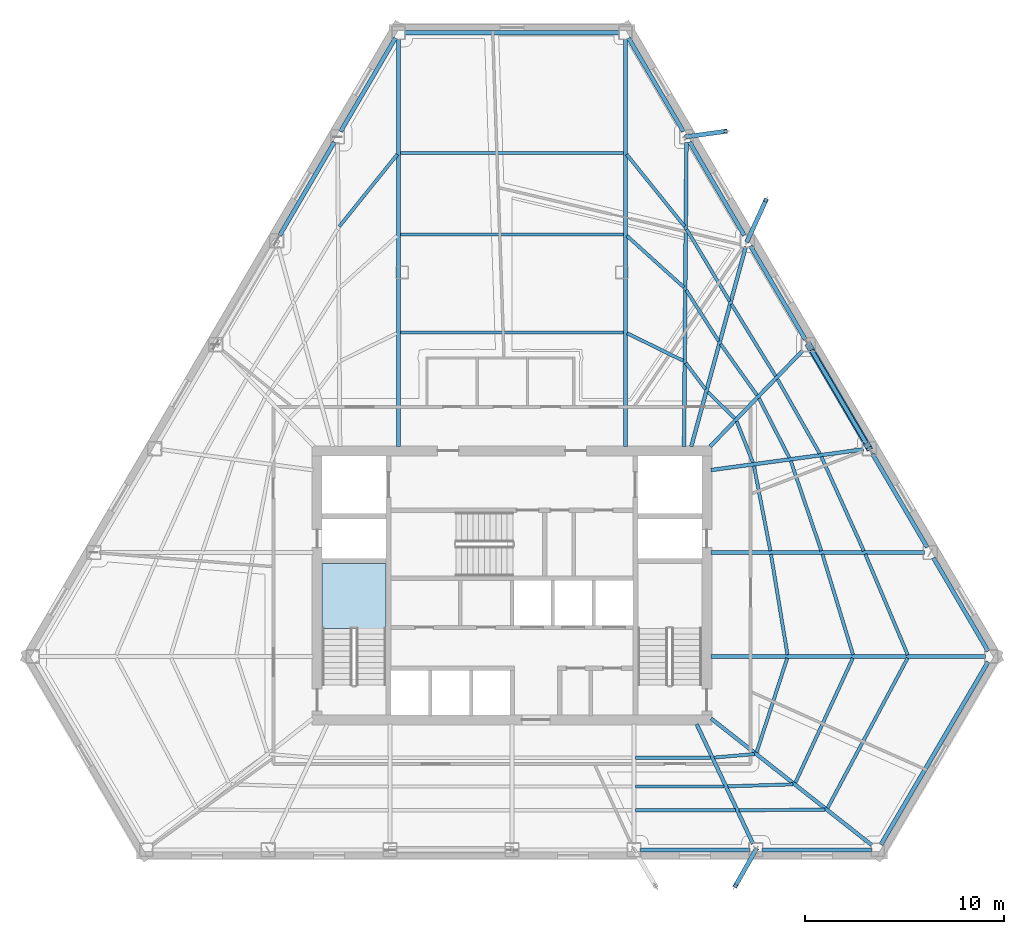
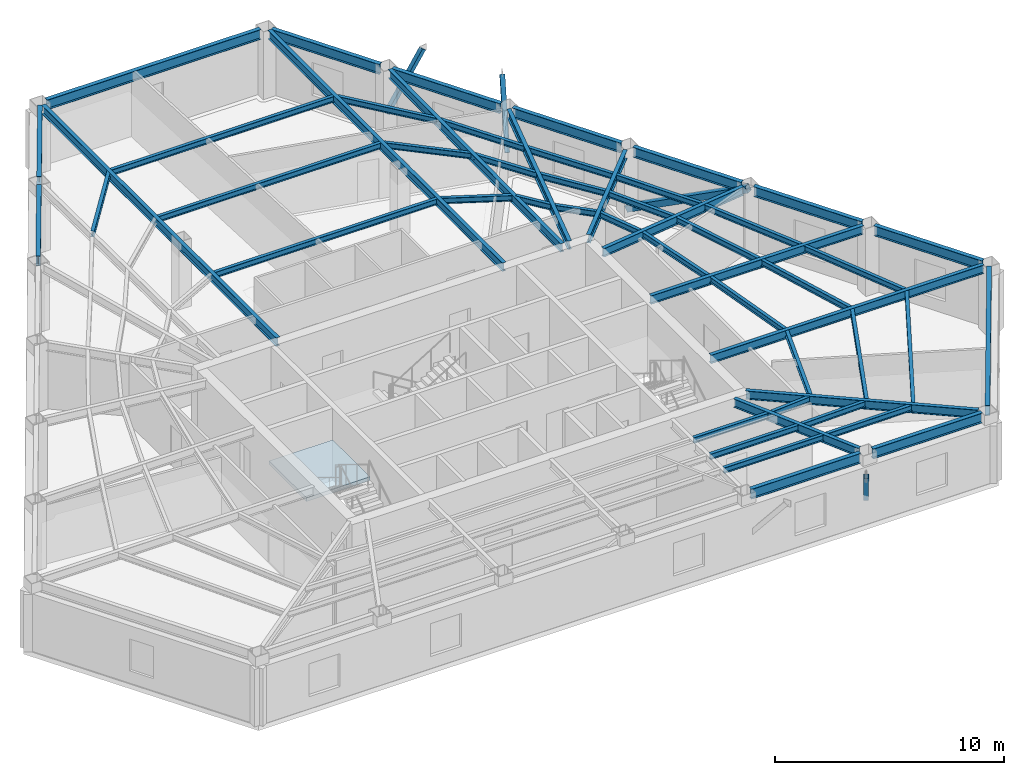
# One storey, part 2 of 13: 53 beams, 4 members, 1 slab, 1 element without a shape of its own.
"""IFC4 building model written with IfcOpenShell, lengths in metres."""

import ifcopenshell
import ifcopenshell.guid

model = None  # the IFC model being written
_history = None  # IfcOwnerHistory: only IFC2X3 demands one
_inside = {}  # id of a spatial element -> (the spatial element, [elements in it])
_under = {}  # id of a project, library or spatial element -> (it, [spatial elements below it])
_declared = {}  # id of a project -> (the project, [libraries it declares])
_typed = {}  # id of a type object -> (the type object, [elements of that type])
_made_of = {}  # id of a material, layer set ... -> (it, [elements and type objects made of it])


def new_model(schema):
    """Start an empty IFC model of exactly this schema.

    Asked for "IFC4X3", IfcOpenShell would pick the latest addendum, in which some entities
    have other attributes; the version numbers below select the first issue.
    IFC2X3 requires an IfcOwnerHistory on every rooted entity: one is made here for all.
    """
    global model, _history
    if schema == "IFC4X3":
        model = ifcopenshell.file(schema_version=(4, 3, 0, 0))
    else:
        model = ifcopenshell.file(schema=schema)
    _inside.clear()
    _under.clear()
    _declared.clear()
    _typed.clear()
    _made_of.clear()
    _history = None
    if model.schema == "IFC2X3":
        org = make("IfcOrganization", Name="unknown")
        user = make(
            "IfcPersonAndOrganization",
            ThePerson=make("IfcPerson", FamilyName="unknown"),
            TheOrganization=org,
        )
        app = make(
            "IfcApplication",
            ApplicationDeveloper=org,
            Version="unknown",
            ApplicationFullName="unknown",
            ApplicationIdentifier="unknown",
        )
        _history = make(
            "IfcOwnerHistory",
            OwningUser=user,
            OwningApplication=app,
            ChangeAction="ADDED",
            CreationDate=0,
        )
    return model


def make(cls, **values):
    """One entity of the class cls with the attributes given. An attribute that is None is left unset."""
    return model.create_entity(
        cls, **{name: value for name, value in values.items() if value is not None}
    )


def rooted(cls, **values):
    """An entity with a GlobalId (a new one), such as an element, a storey or a relation."""
    return make(cls, GlobalId=ifcopenshell.guid.new(), OwnerHistory=_history, **values)


def si_unit(unit_type, name, prefix=None):
    """IfcSIUnit, for example si_unit("LENGTHUNIT", "METRE", prefix="MILLI")."""
    return make("IfcSIUnit", UnitType=unit_type, Prefix=prefix, Name=name)


def assignment(units):
    """IfcUnitAssignment: the units of a project."""
    return None if units is None else make("IfcUnitAssignment", Units=units)


def point(xyz):
    """IfcCartesianPoint."""
    return None if xyz is None else make("IfcCartesianPoint", Coordinates=xyz)


def direction(xyz):
    """IfcDirection."""
    return None if xyz is None else make("IfcDirection", DirectionRatios=xyz)


def frame(location, z_axis=None, x_axis=None):
    """IfcAxis2Placement3D, a coordinate frame: its origin and axes. An axis left out is left unset."""
    return make(
        "IfcAxis2Placement3D",
        Location=point(location),
        Axis=direction(z_axis),
        RefDirection=direction(x_axis),
    )


def frame_2d(location, x_axis=None):
    """IfcAxis2Placement2D, a coordinate frame in the plane: its origin and x axis."""
    return make(
        "IfcAxis2Placement2D", Location=point(location), RefDirection=direction(x_axis)
    )


def origin():
    """The frame at (0, 0, 0) with its axes left unset."""
    return frame((0.0, 0.0, 0.0))


def origin_2d():
    """The frame at (0, 0) in the plane with its x axis left unset."""
    return frame_2d((0.0, 0.0))


def place(relative_to, where):
    """IfcLocalPlacement: puts the frame where relative to a parent placement (None: the world)."""
    return make(
        "IfcLocalPlacement", PlacementRelTo=relative_to, RelativePlacement=where
    )


def context(
    kind, dimensions, precision=None, world=None, true_north=None, identifier=None
):
    """IfcGeometricRepresentationContext, for example the 3D "Model" context."""
    return make(
        "IfcGeometricRepresentationContext",
        ContextIdentifier=identifier,
        ContextType=kind,
        CoordinateSpaceDimension=dimensions,
        Precision=precision,
        WorldCoordinateSystem=world,
        TrueNorth=true_north,
    )


def subcontext(parent, identifier, kind, view, scale=None):
    """IfcGeometricRepresentationSubContext, for example "Body" below "Model"."""
    return make(
        "IfcGeometricRepresentationSubContext",
        ContextIdentifier=identifier,
        ContextType=kind,
        ParentContext=parent,
        TargetScale=scale,
        TargetView=view,
    )


def project(units=None, contexts=None):
    """IfcProject with its units and contexts."""
    return rooted(
        "IfcProject",
        Name="project",
        RepresentationContexts=contexts,
        UnitsInContext=assignment(units),
    )


def spatial(cls, under=None, at=None, **own):
    """A site, building, storey or space (cls), placed at a placement, below another one or the project."""
    s = rooted(cls, ObjectPlacement=at, **own)
    if under is not None:
        _under.setdefault(under.id(), (under, []))[1].append(s)
    return s


def polyline(points):
    """IfcPolyline through the points."""
    return make("IfcPolyline", Points=[point(p) for p in points])


def profile(cls, at=None, kind="AREA", **sizes):
    """A parametric profile (cls). Its sizes go by their IFC names, for example OverallWidth=200.0."""
    return make(cls, ProfileType=kind, Position=at, **sizes)


def hollow_rectangle(**sizes):
    """IfcRectangleHollowProfileDef."""
    return profile("IfcRectangleHollowProfileDef", **sizes)


def i_section(**sizes):
    """IfcIShapeProfileDef."""
    return profile("IfcIShapeProfileDef", **sizes)


def outline(outer, holes=None, kind="AREA"):
    """IfcArbitraryClosedProfileDef: a profile drawn as a closed curve; with holes, ...WithVoids."""
    if holes is None:
        return make("IfcArbitraryClosedProfileDef", ProfileType=kind, OuterCurve=outer)
    return make(
        "IfcArbitraryProfileDefWithVoids",
        ProfileType=kind,
        OuterCurve=outer,
        InnerCurves=holes,
    )


def extrude(swept, where, along, depth):
    """IfcExtrudedAreaSolid: the profile swept, set in the frame where, extruded along a direction by depth."""
    return make(
        "IfcExtrudedAreaSolid",
        SweptArea=swept,
        Position=where,
        ExtrudedDirection=direction(along),
        Depth=depth,
    )


def shape(context_of_items, identifier, shape_type, items):
    """IfcShapeRepresentation: the items that make up one representation, for example the "Body"."""
    return make(
        "IfcShapeRepresentation",
        ContextOfItems=context_of_items,
        RepresentationIdentifier=identifier,
        RepresentationType=shape_type,
        Items=items,
    )


def material(Name=None, Category=None):
    """IfcMaterial."""
    return make("IfcMaterial", Name=Name, Category=Category)


def layer(
    of_material, thickness, ventilated=None, Name=None, Category=None, Priority=None
):
    """IfcMaterialLayer: one layer of a wall or slab, of a material (None: an air gap)."""
    return make(
        "IfcMaterialLayer",
        Material=of_material,
        LayerThickness=thickness,
        IsVentilated=ventilated,
        Name=Name,
        Category=Category,
        Priority=Priority,
    )


def layer_set(layers, Name=None):
    """IfcMaterialLayerSet."""
    return make("IfcMaterialLayerSet", MaterialLayers=layers, LayerSetName=Name)


def material_profile(
    of_material, cross_section, Name=None, Category=None, Priority=None
):
    """IfcMaterialProfile: a cross section and its material."""
    return make(
        "IfcMaterialProfile",
        Name=Name,
        Material=of_material,
        Profile=cross_section,
        Priority=Priority,
        Category=Category,
    )


def profile_set(profiles, Name=None, composite=None):
    """IfcMaterialProfileSet."""
    return make(
        "IfcMaterialProfileSet",
        Name=Name,
        MaterialProfiles=profiles,
        CompositeProfile=composite,
    )


def made_of(thing, what):
    """Note that an element or type object is made of a material, layer set ...; save() writes the relation."""
    if what is not None:
        _made_of.setdefault(what.id(), (what, []))[1].append(thing)
    return thing


def type_object(cls, material=None, **own):
    """A type object (cls), such as IfcWallType, which elements share."""
    return made_of(rooted(cls, **own), material)


def element(
    cls,
    number,
    at=None,
    inside=None,
    cuts=None,
    type_object=None,
    material=None,
    context=None,
    identifier="Body",
    shape_type=None,
    held_by="IfcProductDefinitionShape",
    body=None,
    shapes=None,
    **own,
):
    """One element of the class cls, such as IfcWall. Its Tag is "e" and its number.

    at: its placement. inside: the storey or other place that contains it. cuts: it is an
    opening in that element (IfcRelVoidsElement). A single representation is given by context,
    identifier, shape_type and body (its items); several are given by shapes. held_by: the class
    of the entity that holds the representations. save() writes the other relations.
    """
    e = rooted(cls, Tag="e%d" % number, ObjectPlacement=at, **own)
    if body is not None:
        shapes = [shape(context, identifier, shape_type, body)]
    if shapes is not None:
        e.Representation = make(held_by, Representations=shapes)
    if inside is not None:
        _inside.setdefault(inside.id(), (inside, []))[1].append(e)
    if cuts is not None:
        rooted(
            "IfcRelVoidsElement", RelatingBuildingElement=cuts, RelatedOpeningElement=e
        )
    if type_object is not None:
        _typed.setdefault(type_object.id(), (type_object, []))[1].append(e)
    return made_of(e, material)


def aggregate(whole, parts):
    """IfcRelAggregates: a whole, such as a stair, and the parts it consists of."""
    return rooted("IfcRelAggregates", RelatingObject=whole, RelatedObjects=parts)


def save(model, path):
    """Write the relations noted so far, then the file.

    IfcRelAggregates (storeys below a building ...), IfcRelContainedInSpatialStructure (elements
    in a storey), IfcRelDefinesByType, IfcRelAssociatesMaterial and IfcRelDeclares: one each for
    every whole, place, type object, material and project.
    """
    for whole, parts in _under.values():
        aggregate(whole, parts)
    for where, things in _inside.values():
        rooted(
            "IfcRelContainedInSpatialStructure",
            RelatedElements=things,
            RelatingStructure=where,
        )
    for kind, things in _typed.values():
        rooted("IfcRelDefinesByType", RelatedObjects=things, RelatingType=kind)
    for what, things in _made_of.values():
        rooted("IfcRelAssociatesMaterial", RelatedObjects=things, RelatingMaterial=what)
    for by, libraries in _declared.values():
        rooted("IfcRelDeclares", RelatingContext=by, RelatedDefinitions=libraries)
    model.write(path)


model = new_model("IFC4")

# Units and contexts
model_context = context("Model", 3, precision=1e-05, world=origin(), true_north=direction((0.0, 1.0)))
body_context = subcontext(model_context, "Body", "Model", "MODEL_VIEW")
ifc_project = project(units=[si_unit("LENGTHUNIT", "METRE"), si_unit("AREAUNIT", "SQUARE_METRE"), si_unit("VOLUMEUNIT", "CUBIC_METRE"), si_unit("PLANEANGLEUNIT", "RADIAN"), si_unit("MASSUNIT", "GRAM", prefix="KILO")], contexts=[model_context])

# Site, building, storey
site_placement = place(None, origin())
site = spatial("IfcSite", under=ifc_project, at=site_placement, CompositionType="ELEMENT")
building_placement = place(site_placement, origin())
building = spatial("IfcBuilding", under=site, at=building_placement, Name="Kavelnor Concourse Tower", CompositionType="ELEMENT")
storey_placement = place(building_placement, frame((0.0, 0.0, 131.699951171875)))
storey = spatial("IfcBuildingStorey", under=building, at=storey_placement, Name="L33", CompositionType="ELEMENT", Elevation=131.699951171875)

# Beams
ifc_material_1 = material(Name="Steel Grade 350", Category="steel")
ifc_material_profile_1 = material_profile(ifc_material_1, i_section(OverallWidth=0.166015625, OverallDepth=0.306884765625, WebThickness=0.006591796875, FlangeThickness=0.01171875, at=origin_2d()), Name="310UB46")
ifc_profile_set_1 = profile_set([ifc_material_profile_1], Name="Steel Grade 350")
beam_type_1 = type_object("IfcBeamType", Name="BM-JOIST-310", PredefinedType="JOIST", material=ifc_profile_set_1)
beam_1_placement = place(storey_placement, frame((44.2060546875, 7.458251953125, 3.446533203125), z_axis=(0.999999896694, -0.000454545408, 0.0), x_axis=(0.000454545408, 0.999999896694, 0.0)))
element("IfcBeam", 1, at=beam_1_placement, inside=storey, type_object=beam_type_1, Name="L33 Secondary Composite Joist 06-1", PredefinedType="JOIST", context=body_context, shape_type="SweptSolid", body=[
    extrude(i_section(OverallWidth=0.166015625, OverallDepth=0.306884765625, WebThickness=0.006591796875, FlangeThickness=0.01171875, at=origin_2d()), origin(), (0.0, 0.0, 1.0), 3.759765625),
])
beam_2_placement = place(storey_placement, frame((44.2060546875, 6.016845703125, 3.446533203125), z_axis=(1.0, 0.0, 0.0), x_axis=(0.0, 1.0, 0.0)))
element("IfcBeam", 2, at=beam_2_placement, inside=storey, type_object=beam_type_1, Name="L33 Secondary Composite Joist 06-2", PredefinedType="JOIST", context=body_context, shape_type="SweptSolid", body=[
    extrude(i_section(OverallWidth=0.166015625, OverallDepth=0.306884765625, WebThickness=0.006591796875, FlangeThickness=0.01171875, at=origin_2d()), origin(), (0.0, 0.0, 1.0), 4.4384765625),
])
beam_3_placement = place(storey_placement, frame((44.2060546875, 4.815673828125, 3.446533203125), z_axis=(0.999999957156, 0.000292725752, 0.0), x_axis=(-0.000292725752, 0.999999957156, 0.0)))
element("IfcBeam", 3, at=beam_3_placement, inside=storey, type_object=beam_type_1, Name="L33 Secondary Composite Joist 06-3", PredefinedType="JOIST", context=body_context, shape_type="SweptSolid", body=[
    extrude(i_section(OverallWidth=0.166015625, OverallDepth=0.306884765625, WebThickness=0.006591796875, FlangeThickness=0.01171875, at=origin_2d()), origin(), (0.0, 0.0, 1.0), 5.004150390625),
])
beam_4_placement = place(storey_placement, frame((48.143310546875, 7.464111328125, 3.446533203125), z_axis=(0.996297987208, 0.085966974382, 0.0), x_axis=(-0.085966974382, 0.996297987208, 0.0)))
element("IfcBeam", 4, at=beam_4_placement, inside=storey, type_object=beam_type_1, Name="L33 Secondary Composite Joist 07-1", PredefinedType="JOIST", context=body_context, shape_type="SweptSolid", body=[
    extrude(i_section(OverallWidth=0.166015625, OverallDepth=0.306884765625, WebThickness=0.006591796875, FlangeThickness=0.01171875, at=origin_2d()), origin(), (0.0, 0.0, 1.0), 2.019287109375),
])
beam_5_placement = place(storey_placement, frame((48.822509765625, 6.019775390625, 3.446533203125), z_axis=(0.999532706774, 0.030567435103, 0.0), x_axis=(-0.030567435103, 0.999532706774, 0.0)))
element("IfcBeam", 5, at=beam_5_placement, inside=storey, type_object=beam_type_1, Name="L33 Secondary Composite Joist 07-2", PredefinedType="JOIST", context=body_context, shape_type="SweptSolid", body=[
    extrude(i_section(OverallWidth=0.166015625, OverallDepth=0.306884765625, WebThickness=0.006591796875, FlangeThickness=0.01171875, at=origin_2d()), origin(), (0.0, 0.0, 1.0), 3.2666015625),
])
beam_6_placement = place(storey_placement, frame((49.38818359375, 4.81787109375, 3.446533203125), z_axis=(0.999967199137, 0.008099422797, 0.0), x_axis=(-0.008099422797, 0.999967199137, 0.0)))
element("IfcBeam", 6, at=beam_6_placement, inside=storey, type_object=beam_type_1, Name="L33 Secondary Composite Joist 07-3", PredefinedType="JOIST", context=body_context, shape_type="SweptSolid", body=[
    extrude(i_section(OverallWidth=0.166015625, OverallDepth=0.306884765625, WebThickness=0.006591796875, FlangeThickness=0.01171875, at=origin_2d()), origin(), (0.0, 0.0, 1.0), 4.310546875),
])
beam_7_placement = place(storey_placement, frame((50.271240234375, 7.72998046875, 3.446533203125), z_axis=(0.309118339041, 0.951023581447, 0.0), x_axis=(-0.951023581447, 0.309118339041, 0.0)))
element("IfcBeam", 7, at=beam_7_placement, inside=storey, type_object=beam_type_1, Name="L33 Secondary Composite Joist 08-1", PredefinedType="JOIST", context=body_context, shape_type="SweptSolid", body=[
    extrude(i_section(OverallWidth=0.166015625, OverallDepth=0.306884765625, WebThickness=0.006591796875, FlangeThickness=0.01171875, at=origin_2d()), origin(), (0.0, 0.0, 1.0), 4.96142578125),
])
beam_8_placement = place(storey_placement, frame((52.2138671875, 6.203369140625, 3.446533203125), z_axis=(0.418954692818, 0.90800713949, 0.0), x_axis=(-0.90800713949, 0.418954692818, 0.0)))
element("IfcBeam", 8, at=beam_8_placement, inside=storey, type_object=beam_type_1, Name="L33 Secondary Composite Joist 08-2", PredefinedType="JOIST", context=body_context, shape_type="SweptSolid", body=[
    extrude(i_section(OverallWidth=0.166015625, OverallDepth=0.306884765625, WebThickness=0.006591796875, FlangeThickness=0.01171875, at=origin_2d()), origin(), (0.0, 0.0, 1.0), 6.882080078125),
])
beam_9_placement = place(storey_placement, frame((53.829345703125, 4.931884765625, 3.446533203125), z_axis=(0.470864614808, 0.882205483162, 0.0), x_axis=(-0.882205483162, 0.470864614808, 0.0)))
element("IfcBeam", 9, at=beam_9_placement, inside=storey, type_object=beam_type_1, Name="L33 Secondary Composite Joist 08-3", PredefinedType="JOIST", context=body_context, shape_type="SweptSolid", body=[
    extrude(i_section(OverallWidth=0.166015625, OverallDepth=0.306884765625, WebThickness=0.006591796875, FlangeThickness=0.01171875, at=origin_2d()), origin(), (0.0, 0.0, 1.0), 8.527099609375),
])
beam_10_placement = place(storey_placement, frame((51.818115234375, 12.62109375, 3.446533203125), z_axis=(-0.162049066035, 0.98678270161, 0.0), x_axis=(-0.98678270161, -0.162049066035, 0.0)))
element("IfcBeam", 10, at=beam_10_placement, inside=storey, type_object=beam_type_1, Name="L33 Secondary Composite Joist 09-1", PredefinedType="JOIST", context=body_context, shape_type="SweptSolid", body=[
    extrude(i_section(OverallWidth=0.166015625, OverallDepth=0.306884765625, WebThickness=0.006591796875, FlangeThickness=0.01171875, at=origin_2d()), origin(), (0.0, 0.0, 1.0), 5.105712890625),
])
beam_11_placement = place(storey_placement, frame((55.108642578125, 12.618408203125, 3.446533203125), z_axis=(-0.291690337145, 0.956512805568, 0.0), x_axis=(-0.956512805568, -0.291690337145, 0.0)))
element("IfcBeam", 11, at=beam_11_placement, inside=storey, type_object=beam_type_1, Name="L33 Secondary Composite Joist 09-2", PredefinedType="JOIST", context=body_context, shape_type="SweptSolid", body=[
    extrude(i_section(OverallWidth=0.166015625, OverallDepth=0.306884765625, WebThickness=0.006591796875, FlangeThickness=0.01171875, at=origin_2d()), origin(), (0.0, 0.0, 1.0), 5.27294921875),
])
beam_12_placement = place(storey_placement, frame((57.8515625, 12.615234375, 3.446533203125), z_axis=(-0.3889468375, 0.921260200811, 0.0), x_axis=(-0.921260200811, -0.3889468375, 0.0)))
element("IfcBeam", 12, at=beam_12_placement, inside=storey, type_object=beam_type_1, Name="L33 Secondary Composite Joist 09-3", PredefinedType="JOIST", context=body_context, shape_type="SweptSolid", body=[
    extrude(i_section(OverallWidth=0.166015625, OverallDepth=0.306884765625, WebThickness=0.006591796875, FlangeThickness=0.01171875, at=origin_2d()), origin(), (0.0, 0.0, 1.0), 5.481689453125),
])
beam_13_placement = place(storey_placement, frame((50.95947265625, 17.834716796875, 3.446533203125), z_axis=(-0.189846637664, 0.981813757373, 0.0), x_axis=(-0.981813757373, -0.189846637664, 0.0)))
element("IfcBeam", 13, at=beam_13_placement, inside=storey, type_object=beam_type_1, Name="L33 Secondary Composite Joist 10-1", PredefinedType="JOIST", context=body_context, shape_type="SweptSolid", body=[
    extrude(i_section(OverallWidth=0.166015625, OverallDepth=0.306884765625, WebThickness=0.006591796875, FlangeThickness=0.01171875, at=origin_2d()), origin(), (0.0, 0.0, 1.0), 4.331298828125),
])
beam_14_placement = place(storey_placement, frame((53.51611328125, 17.83154296875, 3.446533203125), z_axis=(-0.321929393029, 0.946763680072, 0.0), x_axis=(-0.946763680072, -0.321929393029, 0.0)))
element("IfcBeam", 14, at=beam_14_placement, inside=storey, type_object=beam_type_1, Name="L33 Secondary Composite Joist 10-2", PredefinedType="JOIST", context=body_context, shape_type="SweptSolid", body=[
    extrude(i_section(OverallWidth=0.166015625, OverallDepth=0.306884765625, WebThickness=0.006591796875, FlangeThickness=0.01171875, at=origin_2d()), origin(), (0.0, 0.0, 1.0), 4.760986328125),
])
beam_15_placement = place(storey_placement, frame((55.6484375, 17.828369140625, 3.446533203125), z_axis=(-0.411005584067, 0.911632826233, 0.0), x_axis=(-0.911632826233, -0.411005584067, 0.0)))
element("IfcBeam", 15, at=beam_15_placement, inside=storey, type_object=beam_type_1, Name="L33 Secondary Composite Joist 10-3", PredefinedType="JOIST", context=body_context, shape_type="SweptSolid", body=[
    extrude(i_section(OverallWidth=0.166015625, OverallDepth=0.306884765625, WebThickness=0.006591796875, FlangeThickness=0.01171875, at=origin_2d()), origin(), (0.0, 0.0, 1.0), 5.178466796875),
])
beam_16_placement = place(storey_placement, frame((50.087890625, 22.25732421875, 3.446533203125), z_axis=(-0.366967000309, 0.930233960186, 0.0), x_axis=(-0.930233960186, -0.366967000309, 0.0)))
element("IfcBeam", 16, at=beam_16_placement, inside=storey, type_object=beam_type_1, Name="L33 Secondary Composite Joist 11-1", PredefinedType="JOIST", context=body_context, shape_type="SweptSolid", body=[
    extrude(i_section(OverallWidth=0.166015625, OverallDepth=0.306884765625, WebThickness=0.006591796875, FlangeThickness=0.01171875, at=origin_2d()), origin(), (0.0, 0.0, 1.0), 2.228759765625),
])
beam_17_placement = place(storey_placement, frame((51.914306640625, 22.50244140625, 3.446533203125), z_axis=(-0.455763221688, 0.890101053677, 0.0), x_axis=(-0.890101053677, -0.455763221688, 0.0)))
element("IfcBeam", 17, at=beam_17_placement, inside=storey, type_object=beam_type_1, Name="L33 Secondary Composite Joist 11-2", PredefinedType="JOIST", context=body_context, shape_type="SweptSolid", body=[
    extrude(i_section(OverallWidth=0.166015625, OverallDepth=0.306884765625, WebThickness=0.006591796875, FlangeThickness=0.01171875, at=origin_2d()), origin(), (0.0, 0.0, 1.0), 3.35009765625),
])
beam_18_placement = place(storey_placement, frame((53.439453125, 22.7080078125, 3.446533203125), z_axis=(-0.494155779678, 0.869373375145, 0.0), x_axis=(-0.869373375145, -0.494155779678, 0.0)))
element("IfcBeam", 18, at=beam_18_placement, inside=storey, type_object=beam_type_1, Name="L33 Secondary Composite Joist 11-3", PredefinedType="JOIST", context=body_context, shape_type="SweptSolid", body=[
    extrude(i_section(OverallWidth=0.166015625, OverallDepth=0.306884765625, WebThickness=0.006591796875, FlangeThickness=0.01171875, at=origin_2d()), origin(), (0.0, 0.0, 1.0), 4.29833984375),
])
beam_19_placement = place(storey_placement, frame((49.173828125, 24.4755859375, 3.446533203125), z_axis=(-0.712935781032, 0.701229329196, 0.0), x_axis=(-0.701229329196, -0.712935781032, 0.0)))
element("IfcBeam", 19, at=beam_19_placement, inside=storey, type_object=beam_type_1, Name="L33 Secondary Composite Joist 12-1", PredefinedType="JOIST", context=body_context, shape_type="SweptSolid", body=[
    extrude(i_section(OverallWidth=0.166015625, OverallDepth=0.306884765625, WebThickness=0.006591796875, FlangeThickness=0.01171875, at=origin_2d()), origin(), (0.0, 0.0, 1.0), 1.897705078125),
])
beam_20_placement = place(storey_placement, frame((50.295166015625, 25.635986328125, 3.446533203125), z_axis=(-0.580468692374, 0.814282565927, 0.0), x_axis=(-0.814282565927, -0.580468692374, 0.0)))
element("IfcBeam", 20, at=beam_20_placement, inside=storey, type_object=beam_type_1, Name="L33 Secondary Composite Joist 12-2", PredefinedType="JOIST", context=body_context, shape_type="SweptSolid", body=[
    extrude(i_section(OverallWidth=0.166015625, OverallDepth=0.306884765625, WebThickness=0.006591796875, FlangeThickness=0.01171875, at=origin_2d()), origin(), (0.0, 0.0, 1.0), 3.15234375),
])
beam_21_placement = place(storey_placement, frame((51.224853515625, 26.597900390625, 3.446533203125), z_axis=(-0.523733842107, 0.851881953461, 0.0), x_axis=(-0.851881953461, -0.523733842107, 0.0)))
element("IfcBeam", 21, at=beam_21_placement, inside=storey, type_object=beam_type_1, Name="L33 Secondary Composite Joist 12-3", PredefinedType="JOIST", context=body_context, shape_type="SweptSolid", body=[
    extrude(i_section(OverallWidth=0.166015625, OverallDepth=0.306884765625, WebThickness=0.006591796875, FlangeThickness=0.01171875, at=origin_2d()), origin(), (0.0, 0.0, 1.0), 4.234130859375),
])
beam_22_placement = place(storey_placement, frame((47.703857421875, 25.940185546875, 3.446533203125), z_axis=(-0.599572602086, 0.800320370119, 0.0), x_axis=(-0.800320370119, -0.599572602086, 0.0)))
element("IfcBeam", 22, at=beam_22_placement, inside=storey, type_object=beam_type_1, Name="L33 Secondary Composite Joist 13-1", PredefinedType="JOIST", context=body_context, shape_type="SweptSolid", body=[
    extrude(i_section(OverallWidth=0.166015625, OverallDepth=0.306884765625, WebThickness=0.006591796875, FlangeThickness=0.01171875, at=origin_2d()), origin(), (0.0, 0.0, 1.0), 1.6455078125),
])
beam_23_placement = place(storey_placement, frame((48.3662109375, 28.350341796875, 3.446533203125), z_axis=(-0.536010867644, 0.844211081287, 0.0), x_axis=(-0.844211081287, -0.536010867644, 0.0)))
element("IfcBeam", 23, at=beam_23_placement, inside=storey, type_object=beam_type_1, Name="L33 Secondary Composite Joist 13-2", PredefinedType="JOIST", context=body_context, shape_type="SweptSolid", body=[
    extrude(i_section(OverallWidth=0.166015625, OverallDepth=0.306884765625, WebThickness=0.006591796875, FlangeThickness=0.01171875, at=origin_2d()), origin(), (0.0, 0.0, 1.0), 3.033935546875),
])
beam_24_placement = place(storey_placement, frame((48.9150390625, 30.35693359375, 3.446533203125), z_axis=(-0.51310913436, 0.858323375096, 0.0), x_axis=(-0.858323375096, -0.51310913436, 0.0)))
element("IfcBeam", 24, at=beam_24_placement, inside=storey, type_object=beam_type_1, Name="L33 Secondary Composite Joist 13-3", PredefinedType="JOIST", context=body_context, shape_type="SweptSolid", body=[
    extrude(i_section(OverallWidth=0.166015625, OverallDepth=0.306884765625, WebThickness=0.006591796875, FlangeThickness=0.01171875, at=origin_2d()), origin(), (0.0, 0.0, 1.0), 4.196533203125),
])
beam_25_placement = place(storey_placement, frame((46.583984375, 27.367431640625, 3.446533203125), z_axis=(-0.897431953019, 0.441152909659, 0.0), x_axis=(-0.441152909659, -0.897431953019, 0.0)))
element("IfcBeam", 25, at=beam_25_placement, inside=storey, type_object=beam_type_1, Name="L33 Secondary Composite Joist 14-1", PredefinedType="JOIST", context=body_context, shape_type="SweptSolid", body=[
    extrude(i_section(OverallWidth=0.166015625, OverallDepth=0.306884765625, WebThickness=0.006591796875, FlangeThickness=0.01171875, at=origin_2d()), origin(), (0.0, 0.0, 1.0), 3.131103515625),
])
beam_26_placement = place(storey_placement, frame((46.626220703125, 31.04638671875, 3.446533203125), z_axis=(-0.741721348882, 0.67070816352, 0.0), x_axis=(-0.67070816352, -0.741721348882, 0.0)))
element("IfcBeam", 26, at=beam_26_placement, inside=storey, type_object=beam_type_1, Name="L33 Secondary Composite Joist 14-2", PredefinedType="JOIST", context=body_context, shape_type="SweptSolid", body=[
    extrude(i_section(OverallWidth=0.166015625, OverallDepth=0.306884765625, WebThickness=0.006591796875, FlangeThickness=0.01171875, at=origin_2d()), origin(), (0.0, 0.0, 1.0), 3.8642578125),
])
beam_27_placement = place(storey_placement, frame((46.66015625, 34.104736328125, 3.446533203125), z_axis=(-0.627059232673, 0.778971577607, 0.0), x_axis=(-0.778971577607, -0.627059232673, 0.0)))
element("IfcBeam", 27, at=beam_27_placement, inside=storey, type_object=beam_type_1, Name="L33 Secondary Composite Joist 14-3", PredefinedType="JOIST", context=body_context, shape_type="SweptSolid", body=[
    extrude(i_section(OverallWidth=0.166015625, OverallDepth=0.306884765625, WebThickness=0.006591796875, FlangeThickness=0.01171875, at=origin_2d()), origin(), (0.0, 0.0, 1.0), 4.641357421875),
])
for number, where, z_axis, x_axis, name in (
    (28, (43.60498046875, 28.7880859375, 3.446533203125), (-1.0, 0.0, 0.0), (0.0, -1.0, 0.0), "L33 Secondary Composite Joist 15-1"),
    (29, (43.60498046875, 33.697998046875, 3.446533203125), (-1.0, 0.0, 0.0), (0.0, -1.0, 0.0), "L33 Secondary Composite Joist 15-2"),
    (30, (43.60498046875, 37.78955078125, 3.446533203125), (-1.0, 0.0, 0.0), (0.0, -1.0, 0.0), "L33 Secondary Composite Joist 15-3"),
):
    element("IfcBeam", number, at=place(storey_placement, frame(where, z_axis=z_axis, x_axis=x_axis)), inside=storey, type_object=beam_type_1, Name=name, PredefinedType="JOIST", context=body_context, shape_type="SweptSolid", body=[
        extrude(i_section(OverallWidth=0.166015625, OverallDepth=0.306884765625, WebThickness=0.006591796875, FlangeThickness=0.01171875, at=origin_2d()), origin(), (0.0, 0.0, 1.0), 11.2099609375),
    ])
beam_28_placement = place(storey_placement, frame((32.250244140625, 37.72021484375, 3.446533203125), z_axis=(-0.627059232673, -0.778971577607, 0.0), x_axis=(0.778971577607, -0.627059232673, 0.0)))
element("IfcBeam", 31, at=beam_28_placement, inside=storey, type_object=beam_type_1, Name="L33 Secondary Composite Joist 16-3", PredefinedType="JOIST", context=body_context, shape_type="SweptSolid", body=[
    extrude(i_section(OverallWidth=0.166015625, OverallDepth=0.306884765625, WebThickness=0.006591796875, FlangeThickness=0.01171875, at=origin_2d()), origin(), (0.0, 0.0, 1.0), 4.641357421875),
])
ifc_material_profile_2 = material_profile(ifc_material_1, i_section(OverallWidth=0.18994140625, OverallDepth=0.4541015625, WebThickness=0.008544921875, FlangeThickness=0.0126953125, at=origin_2d()), Name="460UB67")
ifc_profile_set_2 = profile_set([ifc_material_profile_2], Name="Steel Grade 350")
beam_type_2 = type_object("IfcBeamType", Name="BM-PRIMARY-460", PredefinedType="BEAM", material=ifc_profile_set_2)
beam_29_placement = place(storey_placement, frame((32.305908203125, 23.06005859375, 3.373046875), z_axis=(0.0, 1.0, 0.0), x_axis=(-1.0, 0.0, 0.0)))
element("IfcBeam", 32, at=beam_29_placement, inside=storey, type_object=beam_type_2, Name="L33 Primary Floor Girder F0-B0", PredefinedType="BEAM", context=body_context, shape_type="SweptSolid", body=[
    extrude(i_section(OverallWidth=0.18994140625, OverallDepth=0.4541015625, WebThickness=0.008544921875, FlangeThickness=0.0126953125, at=origin_2d()), origin(), (0.0, 0.0, 1.0), 20.45751953125),
])
beam_30_placement = place(storey_placement, frame((47.262939453125, 9.13623046875, 3.373046875), z_axis=(0.426419231698, -0.904525642996, 0.0), x_axis=(0.904525642996, 0.426419231698, 0.0)))
element("IfcBeam", 33, at=beam_30_placement, inside=storey, type_object=beam_type_2, Name="L33 Primary Floor Girder F1-B5", PredefinedType="BEAM", context=body_context, shape_type="SweptSolid", body=[
    extrude(i_section(OverallWidth=0.18994140625, OverallDepth=0.4541015625, WebThickness=0.008544921875, FlangeThickness=0.0126953125, at=origin_2d()), origin(), (0.0, 0.0, 1.0), 6.631591796875),
])
beam_31_placement = place(storey_placement, frame((47.988525390625, 9.421875, 3.373046875), z_axis=(0.785518680369, -0.6188379455, 0.0), x_axis=(0.6188379455, 0.785518680369, 0.0)))
element("IfcBeam", 34, at=beam_31_placement, inside=storey, type_object=beam_type_2, Name="L33 Primary Floor Girder F1-B6", PredefinedType="BEAM", context=body_context, shape_type="SweptSolid", body=[
    extrude(i_section(OverallWidth=0.18994140625, OverallDepth=0.4541015625, WebThickness=0.008544921875, FlangeThickness=0.0126953125, at=origin_2d()), origin(), (0.0, 0.0, 1.0), 10.2529296875),
])
beam_32_placement = place(storey_placement, frame((47.97998046875, 12.533203125, 3.373046875), z_axis=(1.0, 0.0, 0.0), x_axis=(0.0, 1.0, 0.0)))
element("IfcBeam", 35, at=beam_32_placement, inside=storey, type_object=beam_type_2, Name="L33 Primary Floor Girder F2-B0", PredefinedType="BEAM", context=body_context, shape_type="SweptSolid", body=[
    extrude(i_section(OverallWidth=0.18994140625, OverallDepth=0.4541015625, WebThickness=0.008544921875, FlangeThickness=0.0126953125, at=origin_2d()), origin(), (0.0, 0.0, 1.0), 13.7587890625),
])
beam_33_placement = place(storey_placement, frame((47.97998046875, 17.747314453125, 3.373046875), z_axis=(1.0, 0.0, 0.0), x_axis=(0.0, 1.0, 0.0)))
element("IfcBeam", 36, at=beam_33_placement, inside=storey, type_object=beam_type_2, Name="L33 Primary Floor Girder F2-B1", PredefinedType="BEAM", context=body_context, shape_type="SweptSolid", body=[
    extrude(i_section(OverallWidth=0.18994140625, OverallDepth=0.4541015625, WebThickness=0.008544921875, FlangeThickness=0.0126953125, at=origin_2d()), origin(), (0.0, 0.0, 1.0), 10.701416015625),
])
beam_34_placement = place(storey_placement, frame((47.98046875, 21.884521484375, 3.373046875), z_axis=(0.990935231007, 0.134340492586, 0.0), x_axis=(-0.134340492586, 0.990935231007, 0.0)))
element("IfcBeam", 37, at=beam_34_placement, inside=storey, type_object=beam_type_2, Name="L33 Primary Floor Girder F2-B2", PredefinedType="BEAM", context=body_context, shape_type="SweptSolid", body=[
    extrude(i_section(OverallWidth=0.18994140625, OverallDepth=0.4541015625, WebThickness=0.008544921875, FlangeThickness=0.0126953125, at=origin_2d()), origin(), (0.0, 0.0, 1.0), 7.712646484375),
])
beam_35_placement = place(storey_placement, frame((47.942626953125, 23.0712890625, 3.373046875), z_axis=(0.694271247104, 0.719713439811, 0.0), x_axis=(-0.719713439811, 0.694271247104, 0.0)))
element("IfcBeam", 38, at=beam_35_placement, inside=storey, type_object=beam_type_2, Name="L33 Primary Floor Girder F2-B3", PredefinedType="BEAM", context=body_context, shape_type="SweptSolid", body=[
    extrude(i_section(OverallWidth=0.18994140625, OverallDepth=0.4541015625, WebThickness=0.008544921875, FlangeThickness=0.0126953125, at=origin_2d()), origin(), (0.0, 0.0, 1.0), 6.65966796875),
])
beam_36_placement = place(storey_placement, frame((46.991455078125, 23.061279296875, 3.373046875), z_axis=(0.263184984846, 0.964745388044, 0.0), x_axis=(-0.964745388044, 0.263184984846, 0.0)))
element("IfcBeam", 39, at=beam_36_placement, inside=storey, type_object=beam_type_2, Name="L33 Primary Floor Girder F2-B4", PredefinedType="BEAM", context=body_context, shape_type="SweptSolid", body=[
    extrude(i_section(OverallWidth=0.18994140625, OverallDepth=0.4541015625, WebThickness=0.008544921875, FlangeThickness=0.0126953125, at=origin_2d()), origin(), (0.0, 0.0, 1.0), 10.393310546875),
])
beam_37_placement = place(storey_placement, frame((46.630615234375, 23.06005859375, 3.373046875), z_axis=(0.007783485669, 0.999969708217, 0.0), x_axis=(-0.999969708217, 0.007783485669, 0.0)))
element("IfcBeam", 40, at=beam_37_placement, inside=storey, type_object=beam_type_2, Name="L33 Primary Floor Girder F2-B5", PredefinedType="BEAM", context=body_context, shape_type="SweptSolid", body=[
    extrude(i_section(OverallWidth=0.18994140625, OverallDepth=0.4541015625, WebThickness=0.008544921875, FlangeThickness=0.0126953125, at=origin_2d()), origin(), (0.0, 0.0, 1.0), 15.244140625),
])
beam_38_placement = place(storey_placement, frame((43.694091796875, 23.06005859375, 3.373046875), z_axis=(0.0, 1.0, 0.0), x_axis=(-1.0, 0.0, 0.0)))
element("IfcBeam", 41, at=beam_38_placement, inside=storey, type_object=beam_type_2, Name="L33 Primary Floor Girder F2-B6", PredefinedType="BEAM", context=body_context, shape_type="SweptSolid", body=[
    extrude(i_section(OverallWidth=0.18994140625, OverallDepth=0.4541015625, WebThickness=0.008544921875, FlangeThickness=0.0126953125, at=origin_2d()), origin(), (0.0, 0.0, 1.0), 20.45751953125),
])
ifc_material_profile_3 = material_profile(ifc_material_1, i_section(OverallWidth=0.208984375, OverallDepth=0.532958984375, WebThickness=0.01025390625, FlangeThickness=0.015625, at=origin_2d()), Name="530UB92")
ifc_profile_set_3 = profile_set([ifc_material_profile_3], Name="Steel Grade 350")
beam_type_3 = type_object("IfcBeamType", Name="BM-SPANDREL-Z2", PredefinedType="SPANDREL", material=ifc_profile_set_3)
for number, where, z_axis, x_axis, name in (
    (42, (32.151611328125, 43.5546875, 3.33349609375), (-0.505808273202, -0.862645924329, 0.0), (0.862645924329, -0.505808273202, 0.0), "L33 Perimeter Tube Spandrel Beam F0-B0"),
    (43, (29.09423828125, 38.340576171875, 3.33349609375), (-0.505808273202, -0.862645924329, 0.0), (0.862645924329, -0.505808273202, 0.0), "L33 Perimeter Tube Spandrel Beam F0-B1"),
):
    element("IfcBeam", number, at=place(storey_placement, frame(where, z_axis=z_axis, x_axis=x_axis)), inside=storey, type_object=beam_type_3, Name=name, PredefinedType="SPANDREL", context=body_context, shape_type="SweptSolid", body=[
        extrude(i_section(OverallWidth=0.208984375, OverallDepth=0.532958984375, WebThickness=0.01025390625, FlangeThickness=0.015625, at=origin_2d()), origin(), (0.0, 0.0, 1.0), 5.434326171875),
    ])
beam_39_placement = place(storey_placement, frame((43.388916015625, 43.817626953125, 3.33349609375), z_axis=(-1.0, 0.0, 0.0), x_axis=(0.0, -1.0, 0.0)))
element("IfcBeam", 44, at=beam_39_placement, inside=storey, type_object=beam_type_3, Name="L33 Chamfer Facet Spandrel Beam C0", PredefinedType="SPANDREL", context=body_context, shape_type="SweptSolid", body=[
    extrude(i_section(OverallWidth=0.208984375, OverallDepth=0.532958984375, WebThickness=0.01025390625, FlangeThickness=0.015625, at=origin_2d()), origin(), (0.0, 0.0, 1.0), 10.77783203125),
])
for number, where, z_axis, x_axis, name in (
    (45, (44.422119140625, 2.833740234375, 3.33349609375), (1.0, 0.0, 0.0), (0.0, 1.0, 0.0), "L33 Perimeter Tube Spandrel Beam F1-B4"),
    (46, (50.5390625, 2.833740234375, 3.33349609375), (1.0, 0.0, 0.0), (0.0, 1.0, 0.0), "L33 Perimeter Tube Spandrel Beam F1-B5"),
):
    element("IfcBeam", number, at=place(storey_placement, frame(where, z_axis=z_axis, x_axis=x_axis)), inside=storey, type_object=beam_type_3, Name=name, PredefinedType="SPANDREL", context=body_context, shape_type="SweptSolid", body=[
        extrude(i_section(OverallWidth=0.208984375, OverallDepth=0.532958984375, WebThickness=0.01025390625, FlangeThickness=0.015625, at=origin_2d()), origin(), (0.0, 0.0, 1.0), 5.507080078125),
    ])
for number, where, z_axis, x_axis, name in (
    (47, (61.884521484375, 12.79638671875, 3.33349609375), (-0.505861306432, 0.862614826359, 0.0), (-0.862614826359, -0.505861306432, 0.0), "L33 Perimeter Tube Spandrel Beam F2-B0"),
    (48, (58.826904296875, 18.010498046875, 3.33349609375), (-0.505827876021, 0.862634430011, 0.0), (-0.862634430011, -0.505827876021, 0.0), "L33 Perimeter Tube Spandrel Beam F2-B1"),
    (49, (55.76953125, 23.224609375, 3.33349609375), (-0.505861306432, 0.862614826359, 0.0), (-0.862614826359, -0.505861306432, 0.0), "L33 Perimeter Tube Spandrel Beam F2-B2"),
    (50, (52.7119140625, 28.438720703125, 3.33349609375), (-0.505827876021, 0.862634430011, 0.0), (-0.862634430011, -0.505827876021, 0.0), "L33 Perimeter Tube Spandrel Beam F2-B3"),
    (51, (49.654541015625, 33.652587890625, 3.33349609375), (-0.505808273202, 0.862645924329, 0.0), (-0.862645924329, -0.505808273202, 0.0), "L33 Perimeter Tube Spandrel Beam F2-B4"),
    (52, (46.59716796875, 38.86669921875, 3.33349609375), (-0.505808273202, 0.862645924329, 0.0), (-0.862645924329, -0.505808273202, 0.0), "L33 Perimeter Tube Spandrel Beam F2-B5"),
):
    element("IfcBeam", number, at=place(storey_placement, frame(where, z_axis=z_axis, x_axis=x_axis)), inside=storey, type_object=beam_type_3, Name=name, PredefinedType="SPANDREL", context=body_context, shape_type="SweptSolid", body=[
        extrude(i_section(OverallWidth=0.208984375, OverallDepth=0.532958984375, WebThickness=0.01025390625, FlangeThickness=0.015625, at=origin_2d()), origin(), (0.0, 0.0, 1.0), 5.434326171875),
    ])
beam_40_placement = place(storey_placement, frame((56.50537109375, 3.096923828125, 3.33349609375), z_axis=(0.505846762041, 0.862623355429, 0.0), x_axis=(-0.862623355429, 0.505846762041, 0.0)))
element("IfcBeam", 53, at=beam_40_placement, inside=storey, type_object=beam_type_3, Name="L33 Chamfer Facet Spandrel Beam C2", PredefinedType="SPANDREL", context=body_context, shape_type="SweptSolid", body=[
    extrude(i_section(OverallWidth=0.208984375, OverallDepth=0.532958984375, WebThickness=0.01025390625, FlangeThickness=0.015625, at=origin_2d()), origin(), (0.0, 0.0, 1.0), 10.634033203125),
])

# Members
ifc_material_profile_4 = material_profile(ifc_material_1, hollow_rectangle(XDim=0.219970703125, YDim=0.219970703125, WallThickness=0.013916015625, at=origin_2d()), Name="SHS 220x220x14")
ifc_profile_set_4 = profile_set([ifc_material_profile_4], Name="Steel Grade 350")
member_type_1 = type_object("IfcMemberType", Name="MBR-BALC-STRUT-220", PredefinedType="STRUT", material=ifc_profile_set_4)
member_1_placement = place(storey_placement, frame((50.234130859375, 2.833740234375, 1.050048828125), z_axis=(-0.308919374609, -0.542658607578, 0.781082873716), x_axis=(0.869049998252, -0.494724267182, 0.0)))
element("IfcMember", 54, at=member_1_placement, inside=storey, type_object=member_type_1, Name="L33 Tree Balcony Raking Knee Strut 1-B", PredefinedType="STRUT", context=body_context, shape_type="SweptSolid", body=[
    extrude(hollow_rectangle(XDim=0.219970703125, YDim=0.219970703125, WallThickness=0.013916015625, at=origin_2d()), origin(), (0.0, 0.0, 1.0), 3.335205078125),
])
member_2_placement = place(storey_placement, frame((49.808837890625, 33.389404296875, 1.050048828125), z_axis=(0.26992409223, 0.592353187112, 0.759117043777), x_axis=(-0.909976810516, 0.414659142337, 0.0)))
element("IfcMember", 55, at=member_2_placement, inside=storey, type_object=member_type_1, Name="L33 Tree Balcony Raking Knee Strut 2-A", PredefinedType="STRUT", context=body_context, shape_type="SweptSolid", body=[
    extrude(hollow_rectangle(XDim=0.219970703125, YDim=0.219970703125, WallThickness=0.013916015625, at=origin_2d()), origin(), (0.0, 0.0, 1.0), 3.431640625),
])
member_3_placement = place(storey_placement, frame((46.75146484375, 38.603515625, 1.050048828125), z_axis=(0.60050611751, 0.083401557092, 0.795258815171), x_axis=(-0.137565021021, 0.990492738485, 0.0)))
element("IfcMember", 56, at=member_3_placement, inside=storey, type_object=member_type_1, Name="L33 Tree Balcony Raking Knee Strut 2-B", PredefinedType="STRUT", context=body_context, shape_type="SweptSolid", body=[
    extrude(hollow_rectangle(XDim=0.219970703125, YDim=0.219970703125, WallThickness=0.013916015625, at=origin_2d()), origin(), (0.0, 0.0, 1.0), 3.275634765625),
])
ifc_material_profile_5 = material_profile(ifc_material_1, hollow_rectangle(XDim=0.320068359375, YDim=0.320068359375, WallThickness=0.01806640625, at=origin_2d()), Name="SHS 320x320x18")
ifc_profile_set_5 = profile_set([ifc_material_profile_5], Name="Steel Grade 350")
member_type_2 = type_object("IfcMemberType", Name="MBR-TUBE-DIAG-Z2", PredefinedType="BRACE", material=ifc_profile_set_5)
member_4_placement = place(storey_placement, frame((52.8662109375, 28.175537109375, 0.219970703125), z_axis=(0.449698117485, -0.766863837043, 0.457920799448), x_axis=(0.862620789099, 0.505851138394, 0.0)))
element("IfcMember", 57, at=member_4_placement, inside=storey, type_object=member_type_2, Name="L33 Framed-Tube Bracing Diagonal F2-B2", PredefinedType="BRACE", context=body_context, shape_type="SweptSolid", body=[
    extrude(hollow_rectangle(XDim=0.320068359375, YDim=0.320068359375, WallThickness=0.01806640625, at=origin_2d()), origin(), (0.0, 0.0, 1.0), 6.79931640625),
])

# Stair, slab
ifc_material_2 = material(Name="Concrete C40/50", Category="concrete")
stair_type = type_object("IfcStairType", Name="STR-CORE-1500", PredefinedType="HALF_TURN_STAIR", material=ifc_material_2)
stair_placement = place(storey_placement, origin())
stair = element("IfcStair", 58, at=stair_placement, inside=storey, type_object=stair_type, Name="L33 ST1", PredefinedType="HALF_TURN_STAIR")
ifc_layer = layer(ifc_material_2, 0.199951171875, Name="Concrete C40/50")
ifc_layer_set = layer_set([ifc_layer], Name="Concrete C40/50")
slab_type = type_object("IfcSlabType", Name="SLB-LANDING-200", PredefinedType="LANDING", material=ifc_layer_set)
slab_placement = place(storey_placement, frame((0.0, 0.0, 1.72509765625)))
slab = element("IfcSlab", 59, at=slab_placement, type_object=slab_type, Name="ST1 landing 1", PredefinedType="LANDING", context=body_context, shape_type="SweptSolid", body=[
    extrude(outline(polyline([(31.679931640625, 13.949951171875), (31.679931640625, 17.199951171875), (28.47998046875, 17.199951171875), (28.47998046875, 13.949951171875), (31.679931640625, 13.949951171875)])), origin(), (0.0, 0.0, 1.0), 0.199951171875),
])
aggregate(stair, [slab])

save(model, "model.ifc")
